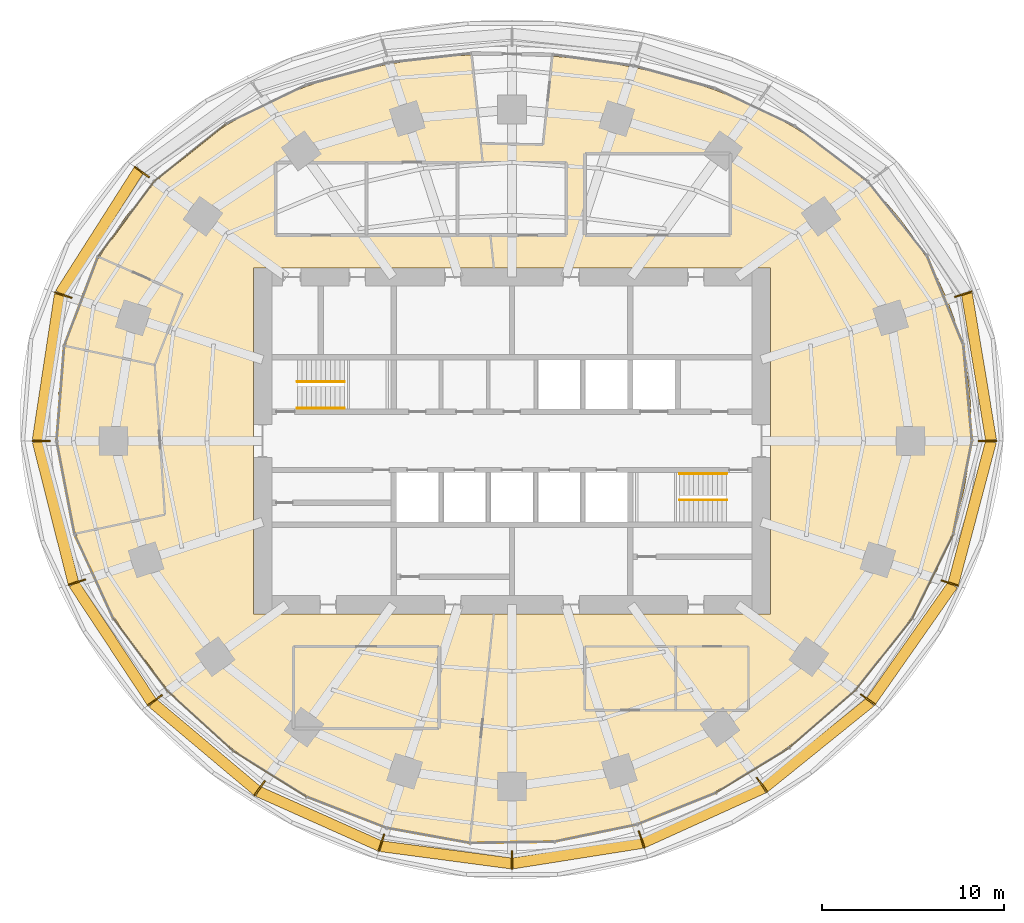
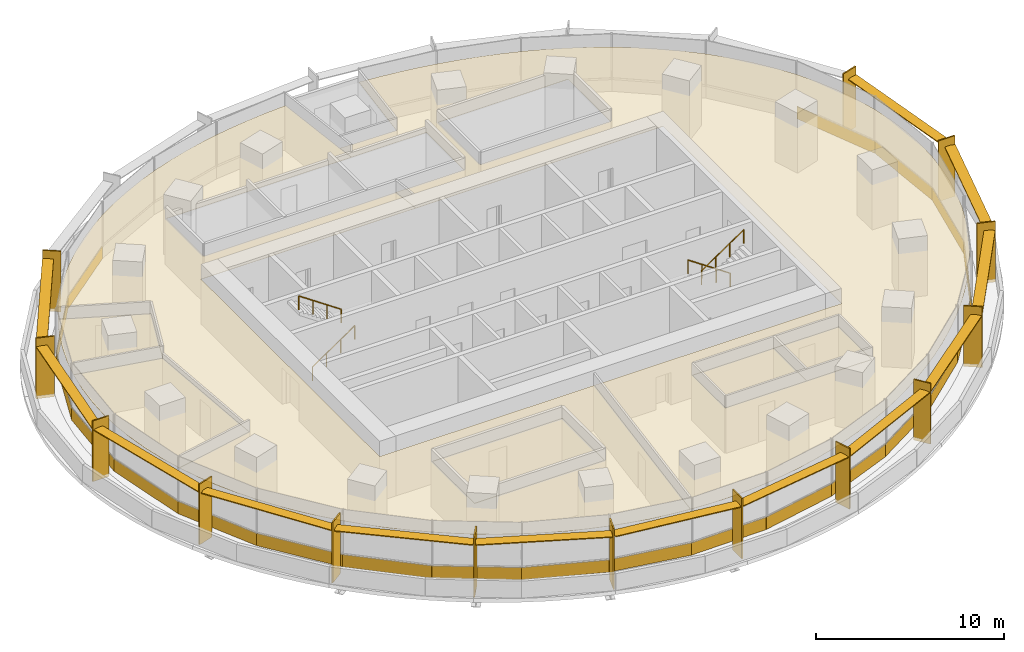
# One storey, part 14 of 15: 28 coverings, 27 shading devices, 4 railings.
"""IFC4 building model written with IfcOpenShell, lengths in metres."""

import ifcopenshell
import ifcopenshell.guid

model = None  # the IFC model being written
_history = None  # IfcOwnerHistory: only IFC2X3 demands one
_inside = {}  # id of a spatial element -> (the spatial element, [elements in it])
_under = {}  # id of a project, library or spatial element -> (it, [spatial elements below it])
_declared = {}  # id of a project -> (the project, [libraries it declares])
_typed = {}  # id of a type object -> (the type object, [elements of that type])
_made_of = {}  # id of a material, layer set ... -> (it, [elements and type objects made of it])


def new_model(schema):
    """Start an empty IFC model of exactly this schema.

    Asked for "IFC4X3", IfcOpenShell would pick the latest addendum, in which some entities
    have other attributes; the version numbers below select the first issue.
    IFC2X3 requires an IfcOwnerHistory on every rooted entity: one is made here for all.
    """
    global model, _history
    if schema == "IFC4X3":
        model = ifcopenshell.file(schema_version=(4, 3, 0, 0))
    else:
        model = ifcopenshell.file(schema=schema)
    _inside.clear()
    _under.clear()
    _declared.clear()
    _typed.clear()
    _made_of.clear()
    _history = None
    if model.schema == "IFC2X3":
        org = make("IfcOrganization", Name="unknown")
        user = make(
            "IfcPersonAndOrganization",
            ThePerson=make("IfcPerson", FamilyName="unknown"),
            TheOrganization=org,
        )
        app = make(
            "IfcApplication",
            ApplicationDeveloper=org,
            Version="unknown",
            ApplicationFullName="unknown",
            ApplicationIdentifier="unknown",
        )
        _history = make(
            "IfcOwnerHistory",
            OwningUser=user,
            OwningApplication=app,
            ChangeAction="ADDED",
            CreationDate=0,
        )
    return model


def make(cls, **values):
    """One entity of the class cls with the attributes given. An attribute that is None is left unset."""
    return model.create_entity(
        cls, **{name: value for name, value in values.items() if value is not None}
    )


def rooted(cls, **values):
    """An entity with a GlobalId (a new one), such as an element, a storey or a relation."""
    return make(cls, GlobalId=ifcopenshell.guid.new(), OwnerHistory=_history, **values)


def si_unit(unit_type, name, prefix=None):
    """IfcSIUnit, for example si_unit("LENGTHUNIT", "METRE", prefix="MILLI")."""
    return make("IfcSIUnit", UnitType=unit_type, Prefix=prefix, Name=name)


def assignment(units):
    """IfcUnitAssignment: the units of a project."""
    return None if units is None else make("IfcUnitAssignment", Units=units)


def point(xyz):
    """IfcCartesianPoint."""
    return None if xyz is None else make("IfcCartesianPoint", Coordinates=xyz)


def direction(xyz):
    """IfcDirection."""
    return None if xyz is None else make("IfcDirection", DirectionRatios=xyz)


def frame(location, z_axis=None, x_axis=None):
    """IfcAxis2Placement3D, a coordinate frame: its origin and axes. An axis left out is left unset."""
    return make(
        "IfcAxis2Placement3D",
        Location=point(location),
        Axis=direction(z_axis),
        RefDirection=direction(x_axis),
    )


def frame_2d(location, x_axis=None):
    """IfcAxis2Placement2D, a coordinate frame in the plane: its origin and x axis."""
    return make(
        "IfcAxis2Placement2D", Location=point(location), RefDirection=direction(x_axis)
    )


def origin():
    """The frame at (0, 0, 0) with its axes left unset."""
    return frame((0.0, 0.0, 0.0))


def origin_2d():
    """The frame at (0, 0) in the plane with its x axis left unset."""
    return frame_2d((0.0, 0.0))


def place(relative_to, where):
    """IfcLocalPlacement: puts the frame where relative to a parent placement (None: the world)."""
    return make(
        "IfcLocalPlacement", PlacementRelTo=relative_to, RelativePlacement=where
    )


def context(
    kind, dimensions, precision=None, world=None, true_north=None, identifier=None
):
    """IfcGeometricRepresentationContext, for example the 3D "Model" context."""
    return make(
        "IfcGeometricRepresentationContext",
        ContextIdentifier=identifier,
        ContextType=kind,
        CoordinateSpaceDimension=dimensions,
        Precision=precision,
        WorldCoordinateSystem=world,
        TrueNorth=true_north,
    )


def subcontext(parent, identifier, kind, view, scale=None):
    """IfcGeometricRepresentationSubContext, for example "Body" below "Model"."""
    return make(
        "IfcGeometricRepresentationSubContext",
        ContextIdentifier=identifier,
        ContextType=kind,
        ParentContext=parent,
        TargetScale=scale,
        TargetView=view,
    )


def project(units=None, contexts=None):
    """IfcProject with its units and contexts."""
    return rooted(
        "IfcProject",
        Name="project",
        RepresentationContexts=contexts,
        UnitsInContext=assignment(units),
    )


def spatial(cls, under=None, at=None, **own):
    """A site, building, storey or space (cls), placed at a placement, below another one or the project."""
    s = rooted(cls, ObjectPlacement=at, **own)
    if under is not None:
        _under.setdefault(under.id(), (under, []))[1].append(s)
    return s


def polyline(points):
    """IfcPolyline through the points."""
    return make("IfcPolyline", Points=[point(p) for p in points])


def profile(cls, at=None, kind="AREA", **sizes):
    """A parametric profile (cls). Its sizes go by their IFC names, for example OverallWidth=200.0."""
    return make(cls, ProfileType=kind, Position=at, **sizes)


def rectangle(**sizes):
    """IfcRectangleProfileDef."""
    return profile("IfcRectangleProfileDef", **sizes)


def circle(**sizes):
    """IfcCircleProfileDef."""
    return profile("IfcCircleProfileDef", **sizes)


def outline(outer, holes=None, kind="AREA"):
    """IfcArbitraryClosedProfileDef: a profile drawn as a closed curve; with holes, ...WithVoids."""
    if holes is None:
        return make("IfcArbitraryClosedProfileDef", ProfileType=kind, OuterCurve=outer)
    return make(
        "IfcArbitraryProfileDefWithVoids",
        ProfileType=kind,
        OuterCurve=outer,
        InnerCurves=holes,
    )


def extrude(swept, where, along, depth):
    """IfcExtrudedAreaSolid: the profile swept, set in the frame where, extruded along a direction by depth."""
    return make(
        "IfcExtrudedAreaSolid",
        SweptArea=swept,
        Position=where,
        ExtrudedDirection=direction(along),
        Depth=depth,
    )


def shape(context_of_items, identifier, shape_type, items):
    """IfcShapeRepresentation: the items that make up one representation, for example the "Body"."""
    return make(
        "IfcShapeRepresentation",
        ContextOfItems=context_of_items,
        RepresentationIdentifier=identifier,
        RepresentationType=shape_type,
        Items=items,
    )


def material(Name=None, Category=None):
    """IfcMaterial."""
    return make("IfcMaterial", Name=Name, Category=Category)


def layer(
    of_material, thickness, ventilated=None, Name=None, Category=None, Priority=None
):
    """IfcMaterialLayer: one layer of a wall or slab, of a material (None: an air gap)."""
    return make(
        "IfcMaterialLayer",
        Material=of_material,
        LayerThickness=thickness,
        IsVentilated=ventilated,
        Name=Name,
        Category=Category,
        Priority=Priority,
    )


def layer_set(layers, Name=None):
    """IfcMaterialLayerSet."""
    return make("IfcMaterialLayerSet", MaterialLayers=layers, LayerSetName=Name)


def made_of(thing, what):
    """Note that an element or type object is made of a material, layer set ...; save() writes the relation."""
    if what is not None:
        _made_of.setdefault(what.id(), (what, []))[1].append(thing)
    return thing


def type_object(cls, material=None, **own):
    """A type object (cls), such as IfcWallType, which elements share."""
    return made_of(rooted(cls, **own), material)


def element(
    cls,
    number,
    at=None,
    inside=None,
    cuts=None,
    type_object=None,
    material=None,
    context=None,
    identifier="Body",
    shape_type=None,
    held_by="IfcProductDefinitionShape",
    body=None,
    shapes=None,
    **own,
):
    """One element of the class cls, such as IfcWall. Its Tag is "e" and its number.

    at: its placement. inside: the storey or other place that contains it. cuts: it is an
    opening in that element (IfcRelVoidsElement). A single representation is given by context,
    identifier, shape_type and body (its items); several are given by shapes. held_by: the class
    of the entity that holds the representations. save() writes the other relations.
    """
    e = rooted(cls, Tag="e%d" % number, ObjectPlacement=at, **own)
    if body is not None:
        shapes = [shape(context, identifier, shape_type, body)]
    if shapes is not None:
        e.Representation = make(held_by, Representations=shapes)
    if inside is not None:
        _inside.setdefault(inside.id(), (inside, []))[1].append(e)
    if cuts is not None:
        rooted(
            "IfcRelVoidsElement", RelatingBuildingElement=cuts, RelatedOpeningElement=e
        )
    if type_object is not None:
        _typed.setdefault(type_object.id(), (type_object, []))[1].append(e)
    return made_of(e, material)


def aggregate(whole, parts):
    """IfcRelAggregates: a whole, such as a stair, and the parts it consists of."""
    return rooted("IfcRelAggregates", RelatingObject=whole, RelatedObjects=parts)


def save(model, path):
    """Write the relations noted so far, then the file.

    IfcRelAggregates (storeys below a building ...), IfcRelContainedInSpatialStructure (elements
    in a storey), IfcRelDefinesByType, IfcRelAssociatesMaterial and IfcRelDeclares: one each for
    every whole, place, type object, material and project.
    """
    for whole, parts in _under.values():
        aggregate(whole, parts)
    for where, things in _inside.values():
        rooted(
            "IfcRelContainedInSpatialStructure",
            RelatedElements=things,
            RelatingStructure=where,
        )
    for kind, things in _typed.values():
        rooted("IfcRelDefinesByType", RelatedObjects=things, RelatingType=kind)
    for what, things in _made_of.values():
        rooted("IfcRelAssociatesMaterial", RelatedObjects=things, RelatingMaterial=what)
    for by, libraries in _declared.values():
        rooted("IfcRelDeclares", RelatingContext=by, RelatedDefinitions=libraries)
    model.write(path)


model = new_model("IFC4")

# Units and contexts
model_context = context("Model", 3, precision=1e-05, world=origin(), true_north=direction((0.0, 1.0)))
body_context = subcontext(model_context, "Body", "Model", "MODEL_VIEW")
ifc_project = project(units=[si_unit("LENGTHUNIT", "METRE"), si_unit("AREAUNIT", "SQUARE_METRE"), si_unit("VOLUMEUNIT", "CUBIC_METRE"), si_unit("PLANEANGLEUNIT", "RADIAN"), si_unit("MASSUNIT", "GRAM", prefix="KILO")], contexts=[model_context])

# Site, building, storey
site_placement = place(None, origin())
site = spatial("IfcSite", under=ifc_project, at=site_placement, CompositionType="ELEMENT")
building_placement = place(site_placement, origin())
building = spatial("IfcBuilding", under=site, at=building_placement, Name="Marramba Exchange Tower", CompositionType="ELEMENT")
storey_placement = place(building_placement, frame((0.0, 0.0, 92.39990234375)))
storey = spatial("IfcBuildingStorey", under=building, at=storey_placement, Name="L21", CompositionType="ELEMENT", Elevation=92.39990234375)

# Shading devices
ifc_material_1 = material(Name="Aluminium blade, timber-look bronze finish", Category="wood")
ifc_layer_1 = layer(ifc_material_1, 0.080078125)
ifc_layer_set_1 = layer_set([ifc_layer_1], Name="Floor-edge blade 1000x80")
shading_device_type_1 = type_object("IfcShadingDeviceType", Name="Floor-edge blade 1000x80", PredefinedType="USERDEFINED", material=ifc_layer_set_1)
for number, where, z_axis, x_axis, name in (
    (1, (26.132080078125, 0.0, -0.199951171875), (0.0, 0.0, 1.0), (1.0, 0.0, 0.0), "Floor-edge blade FB1 L21 TC01"),
    (2, (24.798583984375, 8.0576171875, -0.199951171875), (0.0, 0.0, 1.0), (0.951056516295, 0.309016994375, 0.0), "Floor-edge blade FB1 L21 TC02"),
    (3, (-20.33642578125, 14.775390625, -0.199951171875), (0.0, 0.0, 1.0), (-0.809016994375, 0.587785252292, 0.0), "Floor-edge blade FB1 L21 TC09"),
    (4, (-24.653076171875, 8.01025390625, -0.199951171875), (0.0, 0.0, 1.0), (-0.951056516295, 0.309016994375, 0.0), "Floor-edge blade FB1 L21 TC10"),
    (5, (-25.867919921875, 0.0, -0.199951171875), (0.0, 0.0, 1.0), (-1.0, 0.0, 0.0), "Floor-edge blade FB1 L21 TC11"),
    (6, (-23.90673828125, -7.767822265625, -0.199951171875), (0.0, 0.0, 1.0), (-0.951056516295, -0.309016994375, 0.0), "Floor-edge blade FB1 L21 TC12"),
    (7, (-19.618408203125, -14.253662109375, -0.199951171875), (0.0, 0.0, 1.0), (-0.809016994375, -0.587785252292, 0.0), "Floor-edge blade FB1 L21 TC13"),
    (8, (-13.866943359375, -19.08642578125, -0.199951171875), (0.0, 0.0, 1.0), (-0.587785252292, -0.809016994375, 0.0), "Floor-edge blade FB1 L21 TC14"),
    (9, (-7.173828125, -22.078857421875, -0.199951171875), (0.0, 0.0, 1.0), (-0.309016994375, -0.951056516295, 0.0), "Floor-edge blade FB1 L21 TC15"),
    (10, (0.0, -23.02685546875, -0.199951171875), (0.0, 0.0, 1.0), (0.0, -1.0, 0.0), "Floor-edge blade FB1 L21 TC16"),
    (11, (7.115966796875, -21.900634765625, -0.199951171875), (0.0, 0.0, 1.0), (0.309016994375, -0.951056516295, 0.0), "Floor-edge blade FB1 L21 TC17"),
    (12, (13.733154296875, -18.902099609375, -0.199951171875), (0.0, 0.0, 1.0), (0.587785252292, -0.809016994375, 0.0), "Floor-edge blade FB1 L21 TC18"),
    (13, (19.555908203125, -14.208251953125, -0.199951171875), (0.0, 0.0, 1.0), (0.809016994375, -0.587785252292, 0.0), "Floor-edge blade FB1 L21 TC19"),
    (14, (24.052001953125, -7.81494140625, -0.199951171875), (0.0, 0.0, 1.0), (0.951056516295, -0.309016994375, 0.0), "Floor-edge blade FB1 L21 TC20"),
):
    element("IfcShadingDevice", number, at=place(storey_placement, frame(where, z_axis=z_axis, x_axis=x_axis)), inside=storey, type_object=shading_device_type_1, Name=name, ObjectType="FIN", PredefinedType="USERDEFINED", context=body_context, shape_type="SweptSolid", body=[
        extrude(rectangle(XDim=1.0, YDim=0.080078125, at=origin_2d()), origin(), (0.0, 0.0, 1.0), 3.93994140625),
    ])
ifc_material_2 = material(Name="Aluminium sunshade, bronze anodised", Category="aluminium")
ifc_layer_2 = layer(ifc_material_2, 0.06005859375)
ifc_layer_set_2 = layer_set([ifc_layer_2], Name="SUNSHADE blade 600x60")
shading_device_type_2 = type_object("IfcShadingDeviceType", Name="SUNSHADE blade 600x60", PredefinedType="USERDEFINED", material=ifc_layer_set_2)
shading_device_1_placement = place(storey_placement, frame((25.660400390625, 4.0595703125, 3.16015625), z_axis=(0.0, 0.0, 1.0), x_axis=(-0.163227675764, 0.986588427798, 0.0)))
element("IfcShadingDevice", 15, at=shading_device_1_placement, inside=storey, type_object=shading_device_type_2, Name="Sunshade SS1 L21 bay 01", ObjectType="SUNSHADE", PredefinedType="USERDEFINED", context=body_context, shape_type="SweptSolid", body=[
    extrude(rectangle(XDim=8.149658203125, YDim=0.60009765625, at=origin_2d()), origin(), (0.0, 0.0, 1.0), 0.06005859375),
])
shading_device_2_placement = place(storey_placement, frame((-22.6708984375, 11.482421875, 3.16015625), z_axis=(0.0, 0.0, 1.0), x_axis=(-0.537284770546, -0.843400898351, 0.0)))
element("IfcShadingDevice", 16, at=shading_device_2_placement, inside=storey, type_object=shading_device_type_2, Name="Sunshade SS1 L21 bay 09", ObjectType="SUNSHADE", PredefinedType="USERDEFINED", context=body_context, shape_type="SweptSolid", body=[
    extrude(rectangle(XDim=8.007080078125, YDim=0.60009765625, at=origin_2d()), origin(), (0.0, 0.0, 1.0), 0.06005859375),
])
shading_device_3_placement = place(storey_placement, frame((-25.455810546875, 4.0361328125, 3.16015625), z_axis=(0.0, 0.0, 1.0), x_axis=(-0.14999307077, -0.988687047918, 0.0)))
element("IfcShadingDevice", 17, at=shading_device_3_placement, inside=storey, type_object=shading_device_type_2, Name="Sunshade SS1 L21 bay 10", ObjectType="SUNSHADE", PredefinedType="USERDEFINED", context=body_context, shape_type="SweptSolid", body=[
    extrude(rectangle(XDim=8.08447265625, YDim=0.60009765625, at=origin_2d()), origin(), (0.0, 0.0, 1.0), 0.06005859375),
])
shading_device_4_placement = place(storey_placement, frame((-25.08251953125, -3.914794921875, 3.16015625), z_axis=(0.0, 0.0, 1.0), x_axis=(0.244116522902, -0.969745906537, 0.0)))
element("IfcShadingDevice", 18, at=shading_device_4_placement, inside=storey, type_object=shading_device_type_2, Name="Sunshade SS1 L21 bay 11", ObjectType="SUNSHADE", PredefinedType="USERDEFINED", context=body_context, shape_type="SweptSolid", body=[
    extrude(rectangle(XDim=7.993896484375, YDim=0.60009765625, at=origin_2d()), origin(), (0.0, 0.0, 1.0), 0.06005859375),
])
shading_device_5_placement = place(storey_placement, frame((-21.938720703125, -11.100341796875, 3.16015625), z_axis=(0.0, 0.0, 1.0), x_axis=(0.550792342935, -0.834642315585, 0.0)))
element("IfcShadingDevice", 19, at=shading_device_5_placement, inside=storey, type_object=shading_device_type_2, Name="Sunshade SS1 L21 bay 12", ObjectType="SUNSHADE", PredefinedType="USERDEFINED", context=body_context, shape_type="SweptSolid", body=[
    extrude(rectangle(XDim=7.757568359375, YDim=0.60009765625, at=origin_2d()), origin(), (0.0, 0.0, 1.0), 0.06005859375),
])
shading_device_6_placement = place(storey_placement, frame((-16.88232421875, -16.8095703125, 3.16015625), z_axis=(0.0, 0.0, 1.0), x_axis=(0.76513863304, -0.643865569998, 0.0)))
element("IfcShadingDevice", 20, at=shading_device_6_placement, inside=storey, type_object=shading_device_type_2, Name="Sunshade SS1 L21 bay 13", ObjectType="SUNSHADE", PredefinedType="USERDEFINED", context=body_context, shape_type="SweptSolid", body=[
    extrude(rectangle(XDim=7.49462890625, YDim=0.60009765625, at=origin_2d()), origin(), (0.0, 0.0, 1.0), 0.06005859375),
])
shading_device_7_placement = place(storey_placement, frame((-10.610107421875, -20.758544921875, 3.16015625), z_axis=(0.0, 0.0, 1.0), x_axis=(0.912735880581, -0.408550134377, 0.0)))
element("IfcShadingDevice", 21, at=shading_device_7_placement, inside=storey, type_object=shading_device_type_2, Name="Sunshade SS1 L21 bay 14", ObjectType="SUNSHADE", PredefinedType="USERDEFINED", context=body_context, shape_type="SweptSolid", body=[
    extrude(rectangle(XDim=7.314208984375, YDim=0.60009765625, at=origin_2d()), origin(), (0.0, 0.0, 1.0), 0.06005859375),
])
shading_device_8_placement = place(storey_placement, frame((-3.617919921875, -22.748046875, 3.16015625), z_axis=(0.0, 0.0, 1.0), x_axis=(0.991350478855, -0.131241106646, 0.0)))
element("IfcShadingDevice", 22, at=shading_device_8_placement, inside=storey, type_object=shading_device_type_2, Name="Sunshade SS1 L21 bay 15", ObjectType="SUNSHADE", PredefinedType="USERDEFINED", context=body_context, shape_type="SweptSolid", body=[
    extrude(rectangle(XDim=7.21875, YDim=0.60009765625, at=origin_2d()), origin(), (0.0, 0.0, 1.0), 0.06005859375),
])
shading_device_9_placement = place(storey_placement, frame((3.5888671875, -22.658935546875, 3.16015625), z_axis=(0.0, 0.0, 1.0), x_axis=(0.987704817912, 0.15633039587, 0.0)))
element("IfcShadingDevice", 23, at=shading_device_9_placement, inside=storey, type_object=shading_device_type_2, Name="Sunshade SS1 L21 bay 16", ObjectType="SUNSHADE", PredefinedType="USERDEFINED", context=body_context, shape_type="SweptSolid", body=[
    extrude(rectangle(XDim=7.18701171875, YDim=0.60009765625, at=origin_2d()), origin(), (0.0, 0.0, 1.0), 0.06005859375),
])
shading_device_10_placement = place(storey_placement, frame((10.514404296875, -20.577392578125, 3.16015625), z_axis=(0.0, 0.0, 1.0), x_axis=(0.910692240548, 0.413085515366, 0.0)))
element("IfcShadingDevice", 24, at=shading_device_10_placement, inside=storey, type_object=shading_device_type_2, Name="Sunshade SS1 L21 bay 17", ObjectType="SUNSHADE", PredefinedType="USERDEFINED", context=body_context, shape_type="SweptSolid", body=[
    extrude(rectangle(XDim=7.24755859375, YDim=0.60009765625, at=origin_2d()), origin(), (0.0, 0.0, 1.0), 0.06005859375),
])
shading_device_11_placement = place(storey_placement, frame((16.7841796875, -16.69482421875, 3.16015625), z_axis=(0.0, 0.0, 1.0), x_axis=(0.777962439436, 0.628310785223, 0.0)))
element("IfcShadingDevice", 25, at=shading_device_11_placement, inside=storey, type_object=shading_device_type_2, Name="Sunshade SS1 L21 bay 18", ObjectType="SUNSHADE", PredefinedType="USERDEFINED", context=body_context, shape_type="SweptSolid", body=[
    extrude(rectangle(XDim=7.46142578125, YDim=0.60009765625, at=origin_2d()), origin(), (0.0, 0.0, 1.0), 0.06005859375),
])
shading_device_12_placement = place(storey_placement, frame((21.97998046875, -11.101318359375, 3.16015625), z_axis=(0.0, 0.0, 1.0), x_axis=(0.574350885858, 0.818609222959, 0.0)))
element("IfcShadingDevice", 26, at=shading_device_12_placement, inside=storey, type_object=shading_device_type_2, Name="Sunshade SS1 L21 bay 19", ObjectType="SUNSHADE", PredefinedType="USERDEFINED", context=body_context, shape_type="SweptSolid", body=[
    extrude(rectangle(XDim=7.7978515625, YDim=0.60009765625, at=origin_2d()), origin(), (0.0, 0.0, 1.0), 0.06005859375),
])
shading_device_13_placement = place(storey_placement, frame((25.287109375, -3.9384765625, 3.16015625), z_axis=(0.0, 0.0, 1.0), x_axis=(0.256422950151, 0.966564674833, 0.0)))
element("IfcShadingDevice", 27, at=shading_device_13_placement, inside=storey, type_object=shading_device_type_2, Name="Sunshade SS1 L21 bay 20", ObjectType="SUNSHADE", PredefinedType="USERDEFINED", context=body_context, shape_type="SweptSolid", body=[
    extrude(rectangle(XDim=8.0693359375, YDim=0.60009765625, at=origin_2d()), origin(), (0.0, 0.0, 1.0), 0.06005859375),
])

# Coverings
ifc_material_3 = material(Name="Aluminium spandrel panel, bronze anodised, insulated", Category="aluminium")
ifc_layer_3 = layer(ifc_material_3, 0.050048828125)
ifc_layer_set_3 = layer_set([ifc_layer_3], Name="Spandrel panel 800")
covering_type_1 = type_object("IfcCoveringType", Name="Spandrel panel 800", PredefinedType="CLADDING", material=ifc_layer_set_3)
covering_1_placement = place(storey_placement, frame((25.04541015625, 2.63671875, 0.0), z_axis=(0.0, 0.0, 1.0), x_axis=(-0.089412890131, 0.995994646109, 0.0)))
element("IfcCovering", 28, at=covering_1_placement, inside=storey, type_object=covering_type_1, Name="Spandrel panel SP1 L21 F01", PredefinedType="CLADDING", context=body_context, shape_type="SweptSolid", body=[
    extrude(rectangle(XDim=5.29443359375, YDim=0.050048828125, at=origin_2d()), origin(), (0.0, 0.0, 1.0), 0.800048828125),
])
covering_2_placement = place(storey_placement, frame((23.81201171875, 7.715576171875, 0.0), z_axis=(0.0, 0.0, 1.0), x_axis=(-0.377821185272, 0.925878583811, 0.0)))
element("IfcCovering", 29, at=covering_2_placement, inside=storey, type_object=covering_type_1, Name="Spandrel panel SP1 L21 F02", PredefinedType="CLADDING", context=body_context, shape_type="SweptSolid", body=[
    extrude(rectangle(XDim=5.27587890625, YDim=0.050048828125, at=origin_2d()), origin(), (0.0, 0.0, 1.0), 0.800048828125),
])
covering_3_placement = place(storey_placement, frame((-17.673095703125, 15.854736328125, 0.0), z_axis=(0.0, 0.0, 1.0), x_axis=(-0.781178328369, -0.624307952285, 0.0)))
element("IfcCovering", 30, at=covering_3_placement, inside=storey, type_object=covering_type_1, Name="Spandrel panel SP1 L21 F12", PredefinedType="CLADDING", context=body_context, shape_type="SweptSolid", body=[
    extrude(rectangle(XDim=5.058349609375, YDim=0.050048828125, at=origin_2d()), origin(), (0.0, 0.0, 1.0), 0.800048828125),
])
covering_4_placement = place(storey_placement, frame((-21.19580078125, 12.20068359375, 0.0), z_axis=(0.0, 0.0, 1.0), x_axis=(-0.597703998161, -0.801716864349, 0.0)))
element("IfcCovering", 31, at=covering_4_placement, inside=storey, type_object=covering_type_1, Name="Spandrel panel SP1 L21 F13", PredefinedType="CLADDING", context=body_context, shape_type="SweptSolid", body=[
    extrude(rectangle(XDim=5.17626953125, YDim=0.050048828125, at=origin_2d()), origin(), (0.0, 0.0, 1.0), 0.800048828125),
])
covering_5_placement = place(storey_placement, frame((-23.671875, 7.677490234375, 0.0), z_axis=(0.0, 0.0, 1.0), x_axis=(-0.354844476365, -0.934925343326, 0.0)))
element("IfcCovering", 32, at=covering_5_placement, inside=storey, type_object=covering_type_1, Name="Spandrel panel SP1 L21 F14", PredefinedType="CLADDING", context=body_context, shape_type="SweptSolid", body=[
    extrude(rectangle(XDim=5.2373046875, YDim=0.050048828125, at=origin_2d()), origin(), (0.0, 0.0, 1.0), 0.800048828125),
])
covering_6_placement = place(storey_placement, frame((-24.8095703125, 2.614501953125, 0.0), z_axis=(0.0, 0.0, 1.0), x_axis=(-0.079459700697, -0.996838079111, 0.0)))
element("IfcCovering", 33, at=covering_6_placement, inside=storey, type_object=covering_type_1, Name="Spandrel panel SP1 L21 F15", PredefinedType="CLADDING", context=body_context, shape_type="SweptSolid", body=[
    extrude(rectangle(XDim=5.245849609375, YDim=0.050048828125, at=origin_2d()), origin(), (0.0, 0.0, 1.0), 0.800048828125),
])
covering_7_placement = place(storey_placement, frame((-24.5283203125, -2.5546875, 0.0), z_axis=(0.0, 0.0, 1.0), x_axis=(0.188227222909, -0.982125507538, 0.0)))
element("IfcCovering", 34, at=covering_7_placement, inside=storey, type_object=covering_type_1, Name="Spandrel panel SP1 L21 F16", PredefinedType="CLADDING", context=body_context, shape_type="SweptSolid", body=[
    extrude(rectangle(XDim=5.20263671875, YDim=0.050048828125, at=origin_2d()), origin(), (0.0, 0.0, 1.0), 0.800048828125),
])
covering_8_placement = place(storey_placement, frame((-22.973876953125, -7.43212890625, 0.0), z_axis=(0.0, 0.0, 1.0), x_axis=(0.416737850896, -0.909026712275, 0.0)))
element("IfcCovering", 35, at=covering_8_placement, inside=storey, type_object=covering_type_1, Name="Spandrel panel SP1 L21 F17", PredefinedType="CLADDING", context=body_context, shape_type="SweptSolid", body=[
    extrude(rectangle(XDim=5.10986328125, YDim=0.050048828125, at=origin_2d()), origin(), (0.0, 0.0, 1.0), 0.800048828125),
])
covering_9_placement = place(storey_placement, frame((-20.419921875, -11.75439453125, 0.0), z_axis=(0.0, 0.0, 1.0), x_axis=(0.597304701232, -0.802014397555, 0.0)))
element("IfcCovering", 36, at=covering_9_placement, inside=storey, type_object=covering_type_1, Name="Spandrel panel SP1 L21 F18", PredefinedType="CLADDING", context=body_context, shape_type="SweptSolid", body=[
    extrude(rectangle(XDim=4.986572265625, YDim=0.050048828125, at=origin_2d()), origin(), (0.0, 0.0, 1.0), 0.800048828125),
])
covering_10_placement = place(storey_placement, frame((-17.135986328125, -15.39599609375, 0.0), z_axis=(0.0, 0.0, 1.0), x_axis=(0.737821889246, -0.674995451651, 0.0)))
element("IfcCovering", 37, at=covering_10_placement, inside=storey, type_object=covering_type_1, Name="Spandrel panel SP1 L21 F19", PredefinedType="CLADDING", context=body_context, shape_type="SweptSolid", body=[
    extrude(rectangle(XDim=4.865234375, YDim=0.050048828125, at=origin_2d()), origin(), (0.0, 0.0, 1.0), 0.800048828125),
])
covering_11_placement = place(storey_placement, frame((-13.31787109375, -18.300537109375, 0.0), z_axis=(0.0, 0.0, 1.0), x_axis=(0.848354599309, -0.529428440708, 0.0)))
element("IfcCovering", 38, at=covering_11_placement, inside=storey, type_object=covering_type_1, Name="Spandrel panel SP1 L21 F20", PredefinedType="CLADDING", context=body_context, shape_type="SweptSolid", body=[
    extrude(rectangle(XDim=4.76953125, YDim=0.050048828125, at=origin_2d()), origin(), (0.0, 0.0, 1.0), 0.800048828125),
])
covering_12_placement = place(storey_placement, frame((-9.10302734375, -20.416748046875, 0.0), z_axis=(0.0, 0.0, 1.0), x_axis=(0.931818387481, -0.362924913381, 0.0)))
element("IfcCovering", 39, at=covering_12_placement, inside=storey, type_object=covering_type_1, Name="Spandrel panel SP1 L21 F21", PredefinedType="CLADDING", context=body_context, shape_type="SweptSolid", body=[
    extrude(rectangle(XDim=4.704345703125, YDim=0.050048828125, at=origin_2d()), origin(), (0.0, 0.0, 1.0), 0.800048828125),
])
covering_13_placement = place(storey_placement, frame((-4.616943359375, -21.685302734375, 0.0), z_axis=(0.0, 0.0, 1.0), x_axis=(0.984031866928, -0.177992373069, 0.0)))
element("IfcCovering", 40, at=covering_13_placement, inside=storey, type_object=covering_type_1, Name="Spandrel panel SP1 L21 F22", PredefinedType="CLADDING", context=body_context, shape_type="SweptSolid", body=[
    extrude(rectangle(XDim=4.662841796875, YDim=0.050048828125, at=origin_2d()), origin(), (0.0, 0.0, 1.0), 0.800048828125),
])
covering_14_placement = place(storey_placement, frame((-0.003662109375, -22.065185546875, 0.0), z_axis=(0.0, 0.0, 1.0), x_axis=(0.999884797651, 0.015178650325, 0.0)))
element("IfcCovering", 41, at=covering_14_placement, inside=storey, type_object=covering_type_1, Name="Spandrel panel SP1 L21 F23", PredefinedType="CLADDING", context=body_context, shape_type="SweptSolid", body=[
    extrude(rectangle(XDim=4.638916015625, YDim=0.050048828125, at=origin_2d()), origin(), (0.0, 0.0, 1.0), 0.800048828125),
])
covering_15_placement = place(storey_placement, frame((4.58447265625, -21.56103515625, 0.0), z_axis=(0.0, 0.0, 1.0), x_axis=(0.979310200528, 0.202364846604, 0.0)))
element("IfcCovering", 42, at=covering_15_placement, inside=storey, type_object=covering_type_1, Name="Spandrel panel SP1 L21 F24", PredefinedType="CLADDING", context=body_context, shape_type="SweptSolid", body=[
    extrude(rectangle(XDim=4.6337890625, YDim=0.050048828125, at=origin_2d()), origin(), (0.0, 0.0, 1.0), 0.800048828125),
])
covering_16_placement = place(storey_placement, frame((9.014892578125, -20.225341796875, 0.0), z_axis=(0.0, 0.0, 1.0), x_axis=(0.928148914987, 0.372209069755, 0.0)))
element("IfcCovering", 43, at=covering_16_placement, inside=storey, type_object=covering_type_1, Name="Spandrel panel SP1 L21 F25", PredefinedType="CLADDING", context=body_context, shape_type="SweptSolid", body=[
    extrude(rectangle(XDim=4.657958984375, YDim=0.050048828125, at=origin_2d()), origin(), (0.0, 0.0, 1.0), 0.800048828125),
])
covering_17_placement = place(storey_placement, frame((13.193115234375, -18.125244140625, 0.0), z_axis=(0.0, 0.0, 1.0), x_axis=(0.853109118827, 0.521732528576, 0.0)))
element("IfcCovering", 44, at=covering_17_placement, inside=storey, type_object=covering_type_1, Name="Spandrel panel SP1 L21 F26", PredefinedType="CLADDING", context=body_context, shape_type="SweptSolid", body=[
    extrude(rectangle(XDim=4.7275390625, YDim=0.050048828125, at=origin_2d()), origin(), (0.0, 0.0, 1.0), 0.800048828125),
])
covering_18_placement = place(storey_placement, frame((17.038818359375, -15.30029296875, 0.0), z_axis=(0.0, 0.0, 1.0), x_axis=(0.754385510875, 0.656431642277, 0.0)))
element("IfcCovering", 45, at=covering_18_placement, inside=storey, type_object=covering_type_1, Name="Spandrel panel SP1 L21 F27", PredefinedType="CLADDING", context=body_context, shape_type="SweptSolid", body=[
    extrude(rectangle(XDim=4.849609375, YDim=0.050048828125, at=origin_2d()), origin(), (0.0, 0.0, 1.0), 0.800048828125),
])
covering_19_placement = place(storey_placement, frame((20.425048828125, -11.747802734375, 0.0), z_axis=(0.0, 0.0, 1.0), x_axis=(0.621807470279, 0.783170141097, 0.0)))
element("IfcCovering", 46, at=covering_19_placement, inside=storey, type_object=covering_type_1, Name="Spandrel panel SP1 L21 F28", PredefinedType="CLADDING", context=body_context, shape_type="SweptSolid", body=[
    extrude(rectangle(XDim=5.00732421875, YDim=0.050048828125, at=origin_2d()), origin(), (0.0, 0.0, 1.0), 0.800048828125),
])
covering_20_placement = place(storey_placement, frame((23.114013671875, -7.47021484375, 0.0), z_axis=(0.0, 0.0, 1.0), x_axis=(0.439086346903, 0.898444867515, 0.0)))
element("IfcCovering", 47, at=covering_20_placement, inside=storey, type_object=covering_type_1, Name="Spandrel panel SP1 L21 F29", PredefinedType="CLADDING", context=body_context, shape_type="SweptSolid", body=[
    extrude(rectangle(XDim=5.156982421875, YDim=0.050048828125, at=origin_2d()), origin(), (0.0, 0.0, 1.0), 0.800048828125),
])
covering_21_placement = place(storey_placement, frame((24.76416015625, -2.576904296875, 0.0), z_axis=(0.0, 0.0, 1.0), x_axis=(0.197048514193, 0.980393738788, 0.0)))
element("IfcCovering", 48, at=covering_21_placement, inside=storey, type_object=covering_type_1, Name="Spandrel panel SP1 L21 F30", PredefinedType="CLADDING", context=body_context, shape_type="SweptSolid", body=[
    extrude(rectangle(XDim=5.2568359375, YDim=0.050048828125, at=origin_2d()), origin(), (0.0, 0.0, 1.0), 0.800048828125),
])

# Railings
ifc_material_4 = material(Name="Stainless steel handrail", Category="steel")
railing_type = type_object("IfcRailingType", Name="Stair handrail 900", PredefinedType="HANDRAIL", material=ifc_material_4)
railing_1_placement = place(storey_placement, frame((-11.800048828125, 1.800048828125, 0.177490234375)))
element("IfcRailing", 49, at=railing_1_placement, inside=storey, type_object=railing_type, Name="Handrail HR1 ST1 L21 flight 1", PredefinedType="HANDRAIL", context=body_context, shape_type="SweptSolid", body=[
    extrude(circle(Radius=0.02392578125, at=origin_2d()), frame((0.0, 0.0, 0.8759765625), z_axis=(0.826240473404, 0.0, 0.563317565952), x_axis=(0.0, 1.0, 0.0)), (0.0, 0.0, 1.0), 3.14697265625),
    extrude(circle(Radius=0.02099609375, at=origin_2d()), origin(), (0.0, 0.0, 1.0), 0.851806640625),
    extrude(circle(Radius=0.02099609375, at=origin_2d()), frame((0.86669921875, 0.0, 0.5908203125)), (0.0, 0.0, 1.0), 0.851806640625),
    extrude(circle(Radius=0.02099609375, at=origin_2d()), frame((1.7333984375, 0.0, 1.181884765625)), (0.0, 0.0, 1.0), 0.851806640625),
    extrude(circle(Radius=0.02099609375, at=origin_2d()), frame((2.60009765625, 0.0, 1.772705078125)), (0.0, 0.0, 1.0), 0.851806640625),
])
for number, where, name in (
    (50, (-9.199951171875, 3.25, 2.12744140625), "Handrail HR1 ST1 L21 flight 2"),
    (51, (11.800048828125, -1.800048828125, 0.177490234375), "Handrail HR1 ST2 L21 flight 1"),
):
    element("IfcRailing", number, at=place(storey_placement, frame(where)), inside=storey, type_object=railing_type, Name=name, PredefinedType="HANDRAIL", context=body_context, shape_type="SweptSolid", body=[
        extrude(circle(Radius=0.02392578125, at=origin_2d()), frame((0.0, 0.0, 0.8759765625), z_axis=(-0.826240473404, 0.0, 0.563317565952), x_axis=(0.0, -1.0, 0.0)), (0.0, 0.0, 1.0), 3.14697265625),
        extrude(circle(Radius=0.02099609375, at=origin_2d()), origin(), (0.0, 0.0, 1.0), 0.851806640625),
        extrude(circle(Radius=0.02099609375, at=origin_2d()), frame((-0.86669921875, 0.0, 0.5908203125)), (0.0, 0.0, 1.0), 0.851806640625),
        extrude(circle(Radius=0.02099609375, at=origin_2d()), frame((-1.7333984375, 0.0, 1.181884765625)), (0.0, 0.0, 1.0), 0.851806640625),
        extrude(circle(Radius=0.02099609375, at=origin_2d()), frame((-2.60009765625, 0.0, 1.772705078125)), (0.0, 0.0, 1.0), 0.851806640625),
    ])
railing_2_placement = place(storey_placement, frame((9.199951171875, -3.25, 2.12744140625)))
element("IfcRailing", 52, at=railing_2_placement, inside=storey, type_object=railing_type, Name="Handrail HR1 ST2 L21 flight 2", PredefinedType="HANDRAIL", context=body_context, shape_type="SweptSolid", body=[
    extrude(circle(Radius=0.02392578125, at=origin_2d()), frame((0.0, 0.0, 0.8759765625), z_axis=(0.826240473404, 0.0, 0.563317565952), x_axis=(0.0, 1.0, 0.0)), (0.0, 0.0, 1.0), 3.14697265625),
    extrude(circle(Radius=0.02099609375, at=origin_2d()), origin(), (0.0, 0.0, 1.0), 0.851806640625),
    extrude(circle(Radius=0.02099609375, at=origin_2d()), frame((0.86669921875, 0.0, 0.5908203125)), (0.0, 0.0, 1.0), 0.851806640625),
    extrude(circle(Radius=0.02099609375, at=origin_2d()), frame((1.7333984375, 0.0, 1.181884765625)), (0.0, 0.0, 1.0), 0.851806640625),
    extrude(circle(Radius=0.02099609375, at=origin_2d()), frame((2.60009765625, 0.0, 1.772705078125)), (0.0, 0.0, 1.0), 0.851806640625),
])

# Coverings
ifc_material_5 = material(Name="Mineral fibre ceiling tiles", Category="gypsum")
ifc_layer_4 = layer(ifc_material_5, 0.02001953125)
ifc_layer_set_4 = layer_set([ifc_layer_4], Name="Suspended ceiling 20")
covering_type_2 = type_object("IfcCoveringType", Name="Suspended ceiling 20", PredefinedType="CEILING", material=ifc_layer_set_4)
covering_22_placement = place(storey_placement, frame((0.0, 0.0, 2.900146484375)))
element("IfcCovering", 53, at=covering_22_placement, inside=storey, type_object=covering_type_2, Name="Ceiling CL1 L21 Issuer Services Office", PredefinedType="CEILING", context=body_context, shape_type="SweptSolid", body=[
    extrude(outline(polyline([(14.199951171875, 9.5), (-0.99853515625, 9.5), (-1.187744140625, 11.300048828125), (3.0, 11.300048828125), (3.0, 15.300048828125), (-1.608154296875, 15.300048828125), (-1.71728515625, 16.3388671875), (1.7099609375, 16.2685546875), (2.22216796875, 21.1416015625), (3.332763671875, 21.041748046875), (4.444091796875, 20.907958984375), (5.556884765625, 20.739013671875), (6.671630859375, 20.533203125), (7.787841796875, 20.287841796875), (8.905029296875, 20.0009765625), (10.02197265625, 19.6689453125), (11.13671875, 19.289306640625), (12.24658203125, 18.8583984375), (13.348876953125, 18.373046875), (14.43896484375, 17.830810546875), (15.512451171875, 17.228271484375), (16.563720703125, 16.563720703125), (17.5869140625, 15.835205078125), (18.5751953125, 15.041748046875), (19.521484375, 14.18310546875), (20.4189453125, 13.26025390625), (21.259765625, 12.2744140625), (22.03662109375, 11.228271484375), (22.7421875, 10.12548828125), (23.3701171875, 8.970947265625), (23.9140625, 7.77001953125), (24.368896484375, 6.529541015625), (24.73046875, 5.256591796875), (24.99560546875, 3.958984375), (25.16259765625, 2.644775390625), (25.231201171875, 1.322265625), (25.201904296875, 0.0), (25.077392578125, -1.314208984375), (24.8603515625, -2.61279296875), (24.555419921875, -3.88916015625), (24.16796875, -5.136962890625), (23.703125, -6.351318359375), (23.16748046875, -7.527587890625), (22.5673828125, -8.662841796875), (21.90869140625, -9.75439453125), (21.197509765625, -10.80078125), (20.439697265625, -11.80078125), (19.64013671875, -12.75439453125), (18.803466796875, -13.66162109375), (17.93359375, -14.5224609375), (17.033935546875, -15.33740234375), (16.107421875, -16.107421875), (15.156005859375, -16.83251953125), (14.181884765625, -17.51318359375), (13.1865234375, -18.14990234375), (12.171142578125, -18.741943359375), (11.13671875, -19.289306640625), (10.083984375, -19.791259765625), (9.0146484375, -20.2470703125), (7.928955078125, -20.65576171875), (6.82861328125, -21.01611328125), (5.714599609375, -21.3271484375), (4.58837890625, -21.587158203125), (3.4521484375, -21.79541015625), (2.30712890625, -21.950439453125), (1.15576171875, -22.05126953125), (0.0, -22.096923828125), (-1.157470703125, -22.0869140625), (-2.314453125, -22.020751953125), (-0.99853515625, -9.5), (14.199951171875, -9.5), (14.199951171875, 9.5)]), holes=[polyline([(4.0, -14.800048828125), (9.0, -14.800048828125), (13.0, -14.800048828125), (13.0, -11.300048828125), (9.0, -11.300048828125), (4.0, -11.300048828125), (4.0, -14.800048828125)]), polyline([(4.0, 15.800048828125), (4.0, 11.300048828125), (12.0, 11.300048828125), (12.0, 15.800048828125), (4.0, 15.800048828125)])]), origin(), (0.0, 0.0, 1.0), 0.02001953125),
])
covering_23_placement = place(storey_placement, frame((0.0, 0.0, 2.900146484375)))
element("IfcCovering", 54, at=covering_23_placement, inside=storey, type_object=covering_type_2, Name="Ceiling CL1 L21 Listings Open Office", PredefinedType="CEILING", context=body_context, shape_type="SweptSolid", body=[
    extrude(outline(polyline([(-6.886474609375, -21.1943359375), (-8.00341796875, -20.84912109375), (-9.10498046875, -20.4501953125), (-10.189453125, -19.997802734375), (-11.2548828125, -19.493896484375), (-12.299072265625, -18.938720703125), (-13.3203125, -18.333984375), (-14.317138671875, -17.68017578125), (-15.28759765625, -16.978515625), (-16.229736328125, -16.229736328125), (-17.1416015625, -15.434326171875), (-18.021240234375, -14.59326171875), (-18.865966796875, -13.706787109375), (-19.673095703125, -12.77587890625), (-20.439697265625, -11.80078125), (-21.162109375, -10.78271484375), (-21.836181640625, -9.72216796875), (-22.457763671875, -8.62060546875), (-23.022216796875, -7.48046875), (-23.52490234375, -6.303466796875), (-23.96044921875, -5.093017578125), (-19.069580078125, -4.053466796875), (-19.632080078125, 4.173095703125), (-18.101806640625, 8.0595703125), (-22.669677734375, 10.09326171875), (-22.0009765625, 11.2099609375), (-21.259765625, 12.2744140625), (-20.451904296875, 13.28173828125), (-19.583984375, 14.228759765625), (-18.66259765625, 15.11279296875), (-17.6943359375, 15.93212890625), (-16.685791015625, 16.685791015625), (-15.643798828125, 17.374267578125), (-14.57421875, 17.99755859375), (-13.482666015625, 18.55712890625), (-12.37451171875, 19.05517578125), (-11.2548828125, 19.493896484375), (-10.127197265625, 19.875732421875), (-8.995361328125, 20.203857421875), (-7.862060546875, 20.4814453125), (-6.7294921875, 20.711181640625), (-5.59912109375, 20.896484375), (-4.47216796875, 21.0400390625), (-3.34912109375, 21.14453125), (-2.2294921875, 21.212158203125), (-1.608154296875, 15.300048828125), (-3.0, 15.300048828125), (-8.0, 15.300048828125), (-13.0, 15.300048828125), (-13.0, 11.300048828125), (-8.0, 11.300048828125), (-3.0, 11.300048828125), (-1.187744140625, 11.300048828125), (-0.99853515625, 9.5), (-14.199951171875, 9.5), (-14.199951171875, -9.5), (-0.99853515625, -9.5), (-2.314453125, -22.020751953125), (-3.468505859375, -21.898193359375), (-4.61669921875, -21.719482421875), (-5.7568359375, -21.484619140625), (-6.886474609375, -21.1943359375)]), holes=[polyline([(-12.0, -15.800048828125), (-4.0, -15.800048828125), (-4.0, -11.300048828125), (-12.0, -11.300048828125), (-12.0, -15.800048828125)])]), origin(), (0.0, 0.0, 1.0), 0.02001953125),
])
covering_24_placement = place(storey_placement, frame((0.0, 0.0, 2.900146484375)))
element("IfcCovering", 55, at=covering_24_placement, inside=storey, type_object=covering_type_2, Name="Ceiling CL1 L21 Listings Office 1", PredefinedType="CEILING", context=body_context, shape_type="SweptSolid", body=[
    extrude(outline(polyline([(-24.113525390625, -4.57080078125), (-24.32421875, -3.8525390625), (-24.611083984375, -2.586669921875), (-24.81689453125, -1.300537109375), (-24.93798828125, 0.0), (-24.94140625, 0.136474609375), (-24.970947265625, 1.30859375), (-24.913330078125, 2.618408203125), (-24.76416015625, 3.92236328125), (-24.6044921875, 4.775390625), (-24.52294921875, 5.21240234375), (-19.632080078125, 4.173095703125), (-19.069580078125, -4.053466796875), (-23.96044921875, -5.093017578125), (-24.113525390625, -4.57080078125)])), origin(), (0.0, 0.0, 1.0), 0.02001953125),
])
covering_25_placement = place(storey_placement, frame((0.0, 0.0, 2.900146484375)))
element("IfcCovering", 56, at=covering_25_placement, inside=storey, type_object=covering_type_2, Name="Ceiling CL1 L21 Listings Office 2", PredefinedType="CEILING", context=body_context, shape_type="SweptSolid", body=[
    extrude(outline(polyline([(-24.2880859375, 6.109619140625), (-24.1904296875, 6.481689453125), (-23.768798828125, 7.722900390625), (-23.7587890625, 7.74658203125), (-23.260498046875, 8.928955078125), (-22.822509765625, 9.79150390625), (-22.669677734375, 10.09326171875), (-18.101806640625, 8.0595703125), (-19.632080078125, 4.173095703125), (-24.52294921875, 5.21240234375), (-24.2880859375, 6.109619140625)])), origin(), (0.0, 0.0, 1.0), 0.02001953125),
])
covering_26_placement = place(storey_placement, frame((0.0, 0.0, 2.900146484375)))
element("IfcCovering", 57, at=covering_26_placement, inside=storey, type_object=covering_type_2, Name="Ceiling CL1 L21 Meeting Room 2", PredefinedType="CEILING", context=body_context, shape_type="SweptSolid", body=[
    extrude(outline(polyline([(-4.0, -15.800048828125), (-12.0, -15.800048828125), (-12.0, -11.300048828125), (-4.0, -11.300048828125), (-4.0, -15.800048828125)])), origin(), (0.0, 0.0, 1.0), 0.02001953125),
])
covering_27_placement = place(storey_placement, frame((0.0, 0.0, 2.900146484375)))
element("IfcCovering", 58, at=covering_27_placement, inside=storey, type_object=covering_type_2, Name="Ceiling CL1 L21 Pantry", PredefinedType="CEILING", context=body_context, shape_type="SweptSolid", body=[
    extrude(outline(polyline([(9.0, -14.800048828125), (4.0, -14.800048828125), (4.0, -11.300048828125), (9.0, -11.300048828125), (9.0, -14.800048828125)])), origin(), (0.0, 0.0, 1.0), 0.02001953125),
])
covering_28_placement = place(storey_placement, frame((0.0, 0.0, 2.900146484375)))
element("IfcCovering", 59, at=covering_28_placement, inside=storey, type_object=covering_type_2, Name="Ceiling CL1 L21 Print Room 1", PredefinedType="CEILING", context=body_context, shape_type="SweptSolid", body=[
    extrude(outline(polyline([(13.0, -14.800048828125), (9.0, -14.800048828125), (9.0, -11.300048828125), (13.0, -11.300048828125), (13.0, -14.800048828125)])), origin(), (0.0, 0.0, 1.0), 0.02001953125),
])

save(model, "model.ifc")
